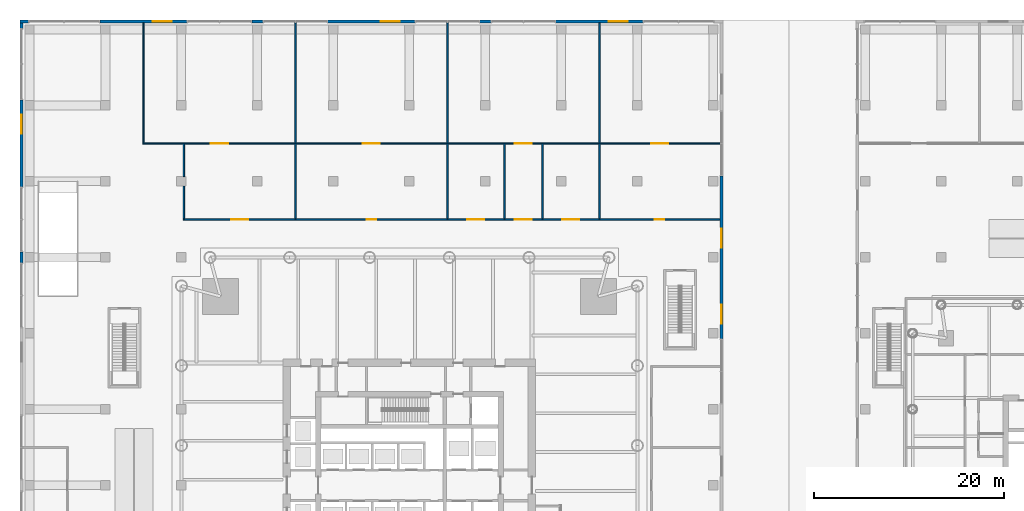
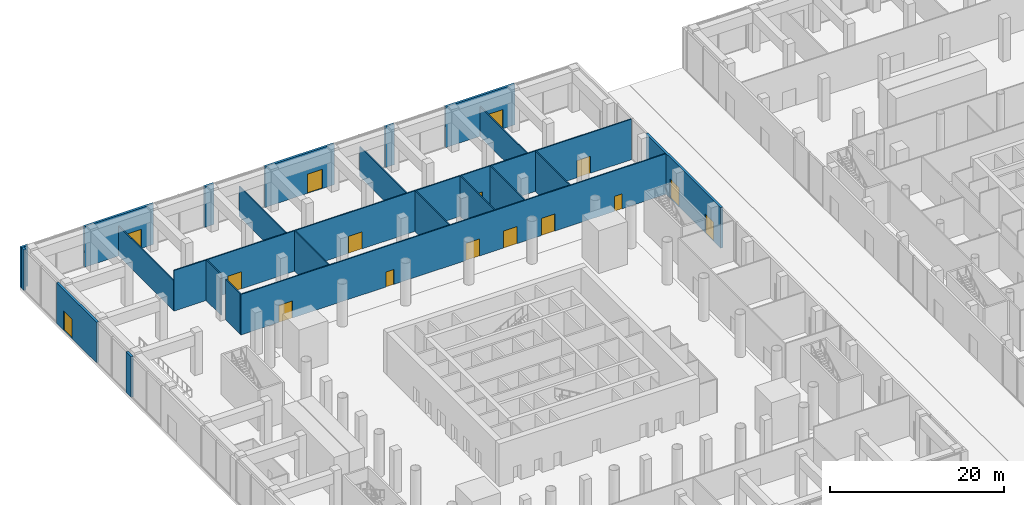
# One storey, part 32 of 39: 23 walls, 16 doors, 16 openings.
"""IFC4 building model written with IfcOpenShell, lengths in metres."""

from ifc_helpers import new_model, si_unit, direction, frame, frame_2d, origin, place, context, subcontext, project, spatial, rectangle, extrude, material, layer, layer_set, type_object, element, fill, save


model = new_model("IFC4")

# Units and contexts
model_context = context("Model", 3, precision=1e-05, world=origin(), true_north=direction((0.0, 1.0)))
body_context = subcontext(model_context, "Body", "Model", "MODEL_VIEW")
ifc_project = project(units=[si_unit("LENGTHUNIT", "METRE"), si_unit("AREAUNIT", "SQUARE_METRE"), si_unit("VOLUMEUNIT", "CUBIC_METRE"), si_unit("PLANEANGLEUNIT", "RADIAN"), si_unit("MASSUNIT", "GRAM", prefix="KILO")], contexts=[model_context])

# Site, building, storey
site_placement = place(None, origin())
site = spatial("IfcSite", under=ifc_project, at=site_placement, CompositionType="ELEMENT")
building_placement = place(site_placement, origin())
building = spatial("IfcBuilding", under=site, at=building_placement, Name="Ostroluk Exchange", CompositionType="ELEMENT")
storey_placement = place(building_placement, origin())
storey = spatial("IfcBuildingStorey", under=building, at=storey_placement, Name="L00", CompositionType="ELEMENT", Elevation=0.0)

# Wall, openings, doors
ifc_material_1 = material(Name="Limestone", Category="masonry")
ifc_layer_1 = layer(ifc_material_1, 0.300048828125)
ifc_layer_set_1 = layer_set([ifc_layer_1], Name="Limestone facade wall 300")
wall_type_1 = type_object("IfcWallType", Name="Limestone facade wall 300", PredefinedType="SOLIDWALL", material=ifc_layer_set_1)
wall_1_placement = place(storey_placement, frame((77.85009765625, 61.39990234375, 0.0), z_axis=(0.0, 0.0, 1.0), x_axis=(0.0, 1.0, 0.0)))
wall_1 = element("IfcWall", 1, at=wall_1_placement, inside=storey, type_object=wall_type_1, Name="Podium west E wall L00 4a", PredefinedType="SOLIDWALL", context=body_context, shape_type="SweptSolid", body=[
    extrude(rectangle(XDim=17.2001953125, YDim=0.300048828125, at=frame_2d((8.60009765625, 0.0))), origin(), (0.0, 0.0, 1.0), 5.699951171875),
])
opening_1_placement = place(wall_1_placement, frame((1.60009765625, 0.0, 0.0)))
opening_1 = element("IfcOpeningElement", 2, at=opening_1_placement, cuts=wall_1, Name="Opening D-E1", PredefinedType="OPENING", context=body_context, shape_type="SweptSolid", body=[
    extrude(rectangle(XDim=2.0, YDim=2.699951171875, at=frame_2d((1.0, 1.35009765625))), frame((0.0, 0.159912109375, 0.0), z_axis=(0.0, -1.0, 0.0), x_axis=(1.0, 0.0, 0.0)), (0.0, 0.0, 1.0), 0.320068359375),
])
opening_2_placement = place(wall_1_placement, frame((9.60009765625, 0.0, 0.0)))
opening_2 = element("IfcOpeningElement", 3, at=opening_2_placement, cuts=wall_1, Name="Opening D-E1", PredefinedType="OPENING", context=body_context, shape_type="SweptSolid", body=[
    extrude(rectangle(XDim=2.0, YDim=2.699951171875, at=frame_2d((1.0, 1.35009765625))), frame((0.0, 0.159912109375, 0.0), z_axis=(0.0, -1.0, 0.0), x_axis=(1.0, 0.0, 0.0)), (0.0, 0.0, 1.0), 0.320068359375),
])
ifc_material_2 = material(Name="Bronze framed glazed door", Category="aluminium")
door_type_1 = type_object("IfcDoorType", Name="Entrance double door 2000 x 2700", OperationType="DOUBLE_DOOR_SINGLE_SWING", PredefinedType="DOOR", material=ifc_material_2)
door_1_placement = place(opening_1_placement, origin())
door_1 = element("IfcDoor", 4, at=door_1_placement, inside=storey, type_object=door_type_1, Name="Podium west entrance E 8", OperationType="DOUBLE_DOOR_SINGLE_SWING", OverallHeight=2.699951171875, OverallWidth=2.0, PredefinedType="DOOR", context=body_context, shape_type="SweptSolid", body=[
    extrude(rectangle(XDim=2.0, YDim=2.699951171875, at=frame_2d((1.0, 1.35009765625))), frame((0.0, 0.02490234375, 0.0), z_axis=(0.0, -1.0, 0.0), x_axis=(1.0, 0.0, 0.0)), (0.0, 0.0, 1.0), 0.050048828125),
])
fill(opening_1, door_1)
door_2_placement = place(opening_2_placement, origin())
door_2 = element("IfcDoor", 5, at=door_2_placement, inside=storey, type_object=door_type_1, Name="Podium west entrance E 9", OperationType="DOUBLE_DOOR_SINGLE_SWING", OverallHeight=2.699951171875, OverallWidth=2.0, PredefinedType="DOOR", context=body_context, shape_type="SweptSolid", body=[
    extrude(rectangle(XDim=2.0, YDim=2.699951171875, at=frame_2d((1.0, 1.35009765625))), frame((0.0, 0.02490234375, 0.0), z_axis=(0.0, -1.0, 0.0), x_axis=(1.0, 0.0, 0.0)), (0.0, 0.0, 1.0), 0.050048828125),
])
fill(opening_2, door_2)

# Wall, opening, door
wall_2_placement = place(storey_placement, frame((69.60009765625, 94.85009765625, 0.0), z_axis=(0.0, 0.0, 1.0), x_axis=(-1.0, 0.0, 0.0)))
wall_2 = element("IfcWall", 6, at=wall_2_placement, inside=storey, type_object=wall_type_1, Name="Podium west N wall L00 2a", PredefinedType="SOLIDWALL", context=body_context, shape_type="SweptSolid", body=[
    extrude(rectangle(XDim=9.2001953125, YDim=0.300048828125, at=frame_2d((4.60009765625, 0.0))), origin(), (0.0, 0.0, 1.0), 5.699951171875),
])
opening_3_placement = place(wall_2_placement, frame((1.60009765625, 0.0, 0.0)))
opening_3 = element("IfcOpeningElement", 7, at=opening_3_placement, cuts=wall_2, Name="Opening D-E1", PredefinedType="OPENING", context=body_context, shape_type="SweptSolid", body=[
    extrude(rectangle(XDim=2.0, YDim=2.699951171875, at=frame_2d((1.0, 1.35009765625))), frame((0.0, 0.159912109375, 0.0), z_axis=(0.0, -1.0, 0.0), x_axis=(1.0, 0.0, 0.0)), (0.0, 0.0, 1.0), 0.320068359375),
])
door_3_placement = place(opening_3_placement, origin())
door_3 = element("IfcDoor", 8, at=door_3_placement, inside=storey, type_object=door_type_1, Name="Podium west entrance N 2", OperationType="DOUBLE_DOOR_SINGLE_SWING", OverallHeight=2.699951171875, OverallWidth=2.0, PredefinedType="DOOR", context=body_context, shape_type="SweptSolid", body=[
    extrude(rectangle(XDim=2.0, YDim=2.699951171875, at=frame_2d((1.0, 1.35009765625))), frame((0.0, 0.02490234375, 0.0), z_axis=(0.0, -1.0, 0.0), x_axis=(1.0, 0.0, 0.0)), (0.0, 0.0, 1.0), 0.050048828125),
])
fill(opening_3, door_3)

# Wall
wall_3_placement = place(storey_placement, frame((53.60009765625, 94.85009765625, 0.0), z_axis=(0.0, 0.0, 1.0), x_axis=(-1.0, 0.0, 0.0)))
element("IfcWall", 9, at=wall_3_placement, inside=storey, type_object=wall_type_1, Name="Podium west N wall L00 3a", PredefinedType="SOLIDWALL", context=body_context, shape_type="SweptSolid", body=[
    extrude(rectangle(XDim=1.2001953125, YDim=0.300048828125, at=frame_2d((0.60009765625, 0.0))), origin(), (0.0, 0.0, 1.0), 5.699951171875),
])

# Wall, opening, door
wall_4_placement = place(storey_placement, frame((45.60009765625, 94.85009765625, 0.0), z_axis=(0.0, 0.0, 1.0), x_axis=(-1.0, 0.0, 0.0)))
wall_4 = element("IfcWall", 10, at=wall_4_placement, inside=storey, type_object=wall_type_1, Name="Podium west N wall L00 4a", PredefinedType="SOLIDWALL", context=body_context, shape_type="SweptSolid", body=[
    extrude(rectangle(XDim=9.2001953125, YDim=0.300048828125, at=frame_2d((4.60009765625, 0.0))), origin(), (0.0, 0.0, 1.0), 5.699951171875),
])
opening_4_placement = place(wall_4_placement, frame((1.60009765625, 0.0, 0.0)))
opening_4 = element("IfcOpeningElement", 11, at=opening_4_placement, cuts=wall_4, Name="Opening D-E1", PredefinedType="OPENING", context=body_context, shape_type="SweptSolid", body=[
    extrude(rectangle(XDim=2.0, YDim=2.699951171875, at=frame_2d((1.0, 1.35009765625))), frame((0.0, 0.159912109375, 0.0), z_axis=(0.0, -1.0, 0.0), x_axis=(1.0, 0.0, 0.0)), (0.0, 0.0, 1.0), 0.320068359375),
])
door_4_placement = place(opening_4_placement, origin())
door_4 = element("IfcDoor", 12, at=door_4_placement, inside=storey, type_object=door_type_1, Name="Podium west entrance N 5", OperationType="DOUBLE_DOOR_SINGLE_SWING", OverallHeight=2.699951171875, OverallWidth=2.0, PredefinedType="DOOR", context=body_context, shape_type="SweptSolid", body=[
    extrude(rectangle(XDim=2.0, YDim=2.699951171875, at=frame_2d((1.0, 1.35009765625))), frame((0.0, 0.02490234375, 0.0), z_axis=(0.0, -1.0, 0.0), x_axis=(1.0, 0.0, 0.0)), (0.0, 0.0, 1.0), 0.050048828125),
])
fill(opening_4, door_4)

# Wall
wall_5_placement = place(storey_placement, frame((29.60009765625, 94.85009765625, 0.0), z_axis=(0.0, 0.0, 1.0), x_axis=(-1.0, 0.0, 0.0)))
element("IfcWall", 13, at=wall_5_placement, inside=storey, type_object=wall_type_1, Name="Podium west N wall L00 5a", PredefinedType="SOLIDWALL", context=body_context, shape_type="SweptSolid", body=[
    extrude(rectangle(XDim=1.2001953125, YDim=0.300048828125, at=frame_2d((0.60009765625, 0.0))), origin(), (0.0, 0.0, 1.0), 5.699951171875),
])

# Wall, opening, door
wall_6_placement = place(storey_placement, frame((21.60009765625, 94.85009765625, 0.0), z_axis=(0.0, 0.0, 1.0), x_axis=(-1.0, 0.0, 0.0)))
wall_6 = element("IfcWall", 14, at=wall_6_placement, inside=storey, type_object=wall_type_1, Name="Podium west N wall L00 6a", PredefinedType="SOLIDWALL", context=body_context, shape_type="SweptSolid", body=[
    extrude(rectangle(XDim=9.2001953125, YDim=0.300048828125, at=frame_2d((4.60009765625, 0.0))), origin(), (0.0, 0.0, 1.0), 5.699951171875),
])
opening_5_placement = place(wall_6_placement, frame((1.60009765625, 0.0, 0.0)))
opening_5 = element("IfcOpeningElement", 15, at=opening_5_placement, cuts=wall_6, Name="Opening D-E1", PredefinedType="OPENING", context=body_context, shape_type="SweptSolid", body=[
    extrude(rectangle(XDim=2.0, YDim=2.699951171875, at=frame_2d((1.0, 1.35009765625))), frame((0.0, 0.159912109375, 0.0), z_axis=(0.0, -1.0, 0.0), x_axis=(1.0, 0.0, 0.0)), (0.0, 0.0, 1.0), 0.320068359375),
])
door_5_placement = place(opening_5_placement, origin())
door_5 = element("IfcDoor", 16, at=door_5_placement, inside=storey, type_object=door_type_1, Name="Podium west entrance N 8", OperationType="DOUBLE_DOOR_SINGLE_SWING", OverallHeight=2.699951171875, OverallWidth=2.0, PredefinedType="DOOR", context=body_context, shape_type="SweptSolid", body=[
    extrude(rectangle(XDim=2.0, YDim=2.699951171875, at=frame_2d((1.0, 1.35009765625))), frame((0.0, 0.02490234375, 0.0), z_axis=(0.0, -1.0, 0.0), x_axis=(1.0, 0.0, 0.0)), (0.0, 0.0, 1.0), 0.050048828125),
])
fill(opening_5, door_5)

# Walls
wall_7_placement = place(storey_placement, frame((4.89990234375, 94.85009765625, 0.0), z_axis=(0.0, 0.0, 1.0), x_axis=(-1.0, 0.0, 0.0)))
element("IfcWall", 17, at=wall_7_placement, inside=storey, type_object=wall_type_1, Name="Podium west N wall L00 7a", PredefinedType="SOLIDWALL", context=body_context, shape_type="SweptSolid", body=[
    extrude(rectangle(XDim=0.89990234375, YDim=0.300048828125, at=frame_2d((0.449951171875, 0.0))), origin(), (0.0, 0.0, 1.0), 5.699951171875),
])
wall_8_placement = place(storey_placement, frame((4.14990234375, 94.699951171875, 0.0), z_axis=(0.0, 0.0, 1.0), x_axis=(0.0, -1.0, 0.0)))
element("IfcWall", 18, at=wall_8_placement, inside=storey, type_object=wall_type_1, Name="Podium west W wall L00 1a", PredefinedType="SOLIDWALL", context=body_context, shape_type="SweptSolid", body=[
    extrude(rectangle(XDim=0.599853515625, YDim=0.300048828125, at=frame_2d((0.2998046875, 0.0))), origin(), (0.0, 0.0, 1.0), 5.699951171875),
])

# Wall, opening, door
wall_9_placement = place(storey_placement, frame((4.14990234375, 86.60009765625, 0.0), z_axis=(0.0, 0.0, 1.0), x_axis=(0.0, -1.0, 0.0)))
wall_9 = element("IfcWall", 19, at=wall_9_placement, inside=storey, type_object=wall_type_1, Name="Podium west W wall L00 2a", PredefinedType="SOLIDWALL", context=body_context, shape_type="SweptSolid", body=[
    extrude(rectangle(XDim=9.2001953125, YDim=0.300048828125, at=frame_2d((4.60009765625, 0.0))), origin(), (0.0, 0.0, 1.0), 5.699951171875),
])
opening_6_placement = place(wall_9_placement, frame((1.60009765625, 0.0, 0.0)))
opening_6 = element("IfcOpeningElement", 20, at=opening_6_placement, cuts=wall_9, Name="Opening D-E1", PredefinedType="OPENING", context=body_context, shape_type="SweptSolid", body=[
    extrude(rectangle(XDim=2.0, YDim=2.699951171875, at=frame_2d((1.0, 1.35009765625))), frame((0.0, 0.159912109375, 0.0), z_axis=(0.0, -1.0, 0.0), x_axis=(1.0, 0.0, 0.0)), (0.0, 0.0, 1.0), 0.320068359375),
])
door_6_placement = place(opening_6_placement, origin())
door_6 = element("IfcDoor", 21, at=door_6_placement, inside=storey, type_object=door_type_1, Name="Podium west entrance W 2", OperationType="DOUBLE_DOOR_SINGLE_SWING", OverallHeight=2.699951171875, OverallWidth=2.0, PredefinedType="DOOR", context=body_context, shape_type="SweptSolid", body=[
    extrude(rectangle(XDim=2.0, YDim=2.699951171875, at=frame_2d((1.0, 1.35009765625))), frame((0.0, 0.02490234375, 0.0), z_axis=(0.0, -1.0, 0.0), x_axis=(1.0, 0.0, 0.0)), (0.0, 0.0, 1.0), 0.050048828125),
])
fill(opening_6, door_6)

# Wall
wall_10_placement = place(storey_placement, frame((4.14990234375, 70.60009765625, 0.0), z_axis=(0.0, 0.0, 1.0), x_axis=(0.0, -1.0, 0.0)))
element("IfcWall", 22, at=wall_10_placement, inside=storey, type_object=wall_type_1, Name="Podium west W wall L00 3a", PredefinedType="SOLIDWALL", context=body_context, shape_type="SweptSolid", body=[
    extrude(rectangle(XDim=1.2001953125, YDim=0.300048828125, at=frame_2d((0.60009765625, 0.0))), origin(), (0.0, 0.0, 1.0), 5.699951171875),
])

# Wall, openings, doors
ifc_material_3 = material(Name="Gypsum plasterboard partition", Category="gypsum")
ifc_layer_2 = layer(ifc_material_3, 0.14990234375)
ifc_layer_set_2 = layer_set([ifc_layer_2], Name="Plasterboard partition 150")
wall_type_2 = type_object("IfcWallType", Name="Plasterboard partition 150", PredefinedType="PARTITIONING", material=ifc_layer_set_2)
wall_11_placement = place(storey_placement, frame((16.925048828125, 82.0, 0.0), z_axis=(0.0, 0.0, 1.0), x_axis=(1.0, 0.0, 0.0)))
wall_11 = element("IfcWall", 23, at=wall_11_placement, inside=storey, type_object=wall_type_2, Name="Partition", PredefinedType="PARTITIONING", context=body_context, shape_type="SweptSolid", body=[
    extrude(rectangle(XDim=60.77490234375, YDim=0.14990234375, at=frame_2d((30.387451171875, 0.0))), origin(), (0.0, 0.0, 1.0), 5.699951171875),
])
opening_7_placement = place(wall_11_placement, frame((7.175048828125, 0.0, 0.0)))
opening_7 = element("IfcOpeningElement", 24, at=opening_7_placement, cuts=wall_11, Name="Opening D-04", PredefinedType="OPENING", context=body_context, shape_type="SweptSolid", body=[
    extrude(rectangle(XDim=1.800048828125, YDim=2.39990234375, at=frame_2d((0.89990234375, 1.199951171875))), frame((0.0, 0.0849609375, 0.0), z_axis=(0.0, -1.0, 0.0), x_axis=(1.0, 0.0, 0.0)), (0.0, 0.0, 1.0), 0.169921875),
])
opening_8_placement = place(wall_11_placement, frame((23.175048828125, 0.0, 0.0)))
opening_8 = element("IfcOpeningElement", 25, at=opening_8_placement, cuts=wall_11, Name="Opening D-04", PredefinedType="OPENING", context=body_context, shape_type="SweptSolid", body=[
    extrude(rectangle(XDim=1.800048828125, YDim=2.39990234375, at=frame_2d((0.89990234375, 1.199951171875))), frame((0.0, 0.0849609375, 0.0), z_axis=(0.0, -1.0, 0.0), x_axis=(1.0, 0.0, 0.0)), (0.0, 0.0, 1.0), 0.169921875),
])
opening_9_placement = place(wall_11_placement, frame((39.175048828125, 0.0, 0.0)))
opening_9 = element("IfcOpeningElement", 26, at=opening_9_placement, cuts=wall_11, Name="Opening D-04", PredefinedType="OPENING", context=body_context, shape_type="SweptSolid", body=[
    extrude(rectangle(XDim=1.800048828125, YDim=2.39990234375, at=frame_2d((0.89990234375, 1.199951171875))), frame((0.0, 0.0849609375, 0.0), z_axis=(0.0, -1.0, 0.0), x_axis=(1.0, 0.0, 0.0)), (0.0, 0.0, 1.0), 0.169921875),
])
opening_10_placement = place(wall_11_placement, frame((53.52490234375, 0.0, 0.0)))
opening_10 = element("IfcOpeningElement", 27, at=opening_10_placement, cuts=wall_11, Name="Opening D-04", PredefinedType="OPENING", context=body_context, shape_type="SweptSolid", body=[
    extrude(rectangle(XDim=1.800048828125, YDim=2.39990234375, at=frame_2d((0.89990234375, 1.199951171875))), frame((0.0, 0.0849609375, 0.0), z_axis=(0.0, -1.0, 0.0), x_axis=(1.0, 0.0, 0.0)), (0.0, 0.0, 1.0), 0.169921875),
])
ifc_material_4 = material(Name="Timber", Category="wood")
door_type_2 = type_object("IfcDoorType", Name="Double door 1800 x 2400", OperationType="DOUBLE_DOOR_SINGLE_SWING", PredefinedType="DOOR", material=ifc_material_4)
door_7_placement = place(opening_7_placement, origin())
door_7 = element("IfcDoor", 28, at=door_7_placement, inside=storey, type_object=door_type_2, Name="Retail unit door", OperationType="DOUBLE_DOOR_SINGLE_SWING", OverallHeight=2.39990234375, OverallWidth=1.800048828125, PredefinedType="DOOR", context=body_context, shape_type="SweptSolid", body=[
    extrude(rectangle(XDim=1.800048828125, YDim=2.39990234375, at=frame_2d((0.89990234375, 1.199951171875))), frame((0.0, 0.02490234375, 0.0), z_axis=(0.0, -1.0, 0.0), x_axis=(1.0, 0.0, 0.0)), (0.0, 0.0, 1.0), 0.050048828125),
])
fill(opening_7, door_7)
door_8_placement = place(opening_8_placement, origin())
door_8 = element("IfcDoor", 29, at=door_8_placement, inside=storey, type_object=door_type_2, Name="Retail unit door", OperationType="DOUBLE_DOOR_SINGLE_SWING", OverallHeight=2.39990234375, OverallWidth=1.800048828125, PredefinedType="DOOR", context=body_context, shape_type="SweptSolid", body=[
    extrude(rectangle(XDim=1.800048828125, YDim=2.39990234375, at=frame_2d((0.89990234375, 1.199951171875))), frame((0.0, 0.02490234375, 0.0), z_axis=(0.0, -1.0, 0.0), x_axis=(1.0, 0.0, 0.0)), (0.0, 0.0, 1.0), 0.050048828125),
])
fill(opening_8, door_8)
door_9_placement = place(opening_9_placement, origin())
door_9 = element("IfcDoor", 30, at=door_9_placement, inside=storey, type_object=door_type_2, Name="Retail unit door", OperationType="DOUBLE_DOOR_SINGLE_SWING", OverallHeight=2.39990234375, OverallWidth=1.800048828125, PredefinedType="DOOR", context=body_context, shape_type="SweptSolid", body=[
    extrude(rectangle(XDim=1.800048828125, YDim=2.39990234375, at=frame_2d((0.89990234375, 1.199951171875))), frame((0.0, 0.02490234375, 0.0), z_axis=(0.0, -1.0, 0.0), x_axis=(1.0, 0.0, 0.0)), (0.0, 0.0, 1.0), 0.050048828125),
])
fill(opening_9, door_9)
door_10_placement = place(opening_10_placement, origin())
door_10 = element("IfcDoor", 31, at=door_10_placement, inside=storey, type_object=door_type_2, Name="Retail unit door", OperationType="DOUBLE_DOOR_SINGLE_SWING", OverallHeight=2.39990234375, OverallWidth=1.800048828125, PredefinedType="DOOR", context=body_context, shape_type="SweptSolid", body=[
    extrude(rectangle(XDim=1.800048828125, YDim=2.39990234375, at=frame_2d((0.89990234375, 1.199951171875))), frame((0.0, 0.02490234375, 0.0), z_axis=(0.0, -1.0, 0.0), x_axis=(1.0, 0.0, 0.0)), (0.0, 0.0, 1.0), 0.050048828125),
])
fill(opening_10, door_10)

# Walls
for number, where, z_axis, x_axis, name in (
    (32, (17.0, 82.074951171875, 0.0), (0.0, 0.0, 1.0), (0.0, 1.0, 0.0), "Partition"),
    (33, (33.0, 82.074951171875, 0.0), (0.0, 0.0, 1.0), (0.0, 1.0, 0.0), "Partition"),
    (34, (49.0, 82.074951171875, 0.0), (0.0, 0.0, 1.0), (0.0, 1.0, 0.0), "Partition"),
    (35, (65.0, 82.074951171875, 0.0), (0.0, 0.0, 1.0), (0.0, 1.0, 0.0), "Partition"),
):
    element("IfcWall", number, at=place(storey_placement, frame(where, z_axis=z_axis, x_axis=x_axis)), inside=storey, type_object=wall_type_2, Name=name, PredefinedType="PARTITIONING", context=body_context, shape_type="SweptSolid", body=[
        extrude(rectangle(XDim=12.625, YDim=0.14990234375, at=frame_2d((6.3125, 0.0))), origin(), (0.0, 0.0, 1.0), 4.199951171875),
    ])

# Wall, openings, doors
wall_12_placement = place(storey_placement, frame((21.175048828125, 74.0, 0.0), z_axis=(0.0, 0.0, 1.0), x_axis=(1.0, 0.0, 0.0)))
wall_12 = element("IfcWall", 36, at=wall_12_placement, inside=storey, type_object=wall_type_2, Name="Partition", PredefinedType="PARTITIONING", context=body_context, shape_type="SweptSolid", body=[
    extrude(rectangle(XDim=56.52490234375, YDim=0.14990234375, at=frame_2d((28.262451171875, 0.0))), origin(), (0.0, 0.0, 1.0), 5.699951171875),
])
opening_11_placement = place(wall_12_placement, frame((5.050048828125, 0.0, 0.0)))
opening_11 = element("IfcOpeningElement", 37, at=opening_11_placement, cuts=wall_12, Name="Opening D-04", PredefinedType="OPENING", context=body_context, shape_type="SweptSolid", body=[
    extrude(rectangle(XDim=1.800048828125, YDim=2.39990234375, at=frame_2d((0.89990234375, 1.199951171875))), frame((0.0, 0.0849609375, 0.0), z_axis=(0.0, -1.0, 0.0), x_axis=(1.0, 0.0, 0.0)), (0.0, 0.0, 1.0), 0.169921875),
])
opening_12_placement = place(wall_12_placement, frame((19.324951171875, 0.0, 0.0)))
opening_12 = element("IfcOpeningElement", 38, at=opening_12_placement, cuts=wall_12, Name="Opening D-03", PredefinedType="OPENING", context=body_context, shape_type="SweptSolid", body=[
    extrude(rectangle(XDim=1.0, YDim=2.10009765625, at=frame_2d((0.5, 1.050048828125))), frame((0.0, 0.0849609375, 0.0), z_axis=(0.0, -1.0, 0.0), x_axis=(1.0, 0.0, 0.0)), (0.0, 0.0, 1.0), 0.169921875),
])
opening_13_placement = place(wall_12_placement, frame((29.925048828125, 0.0, 0.0)))
opening_13 = element("IfcOpeningElement", 39, at=opening_13_placement, cuts=wall_12, Name="Opening D-04", PredefinedType="OPENING", context=body_context, shape_type="SweptSolid", body=[
    extrude(rectangle(XDim=1.800048828125, YDim=2.39990234375, at=frame_2d((0.89990234375, 1.199951171875))), frame((0.0, 0.0849609375, 0.0), z_axis=(0.0, -1.0, 0.0), x_axis=(1.0, 0.0, 0.0)), (0.0, 0.0, 1.0), 0.169921875),
])
opening_14_placement = place(wall_12_placement, frame((34.925048828125, 0.0, 0.0)))
opening_14 = element("IfcOpeningElement", 40, at=opening_14_placement, cuts=wall_12, Name="Opening D-04", PredefinedType="OPENING", context=body_context, shape_type="SweptSolid", body=[
    extrude(rectangle(XDim=1.800048828125, YDim=2.39990234375, at=frame_2d((0.89990234375, 1.199951171875))), frame((0.0, 0.0849609375, 0.0), z_axis=(0.0, -1.0, 0.0), x_axis=(1.0, 0.0, 0.0)), (0.0, 0.0, 1.0), 0.169921875),
])
opening_15_placement = place(wall_12_placement, frame((39.925048828125, 0.0, 0.0)))
opening_15 = element("IfcOpeningElement", 41, at=opening_15_placement, cuts=wall_12, Name="Opening D-04", PredefinedType="OPENING", context=body_context, shape_type="SweptSolid", body=[
    extrude(rectangle(XDim=1.800048828125, YDim=2.39990234375, at=frame_2d((0.89990234375, 1.199951171875))), frame((0.0, 0.0849609375, 0.0), z_axis=(0.0, -1.0, 0.0), x_axis=(1.0, 0.0, 0.0)), (0.0, 0.0, 1.0), 0.169921875),
])
opening_16_placement = place(wall_12_placement, frame((49.675048828125, 0.0, 0.0)))
opening_16 = element("IfcOpeningElement", 42, at=opening_16_placement, cuts=wall_12, Name="Opening D-03", PredefinedType="OPENING", context=body_context, shape_type="SweptSolid", body=[
    extrude(rectangle(XDim=1.0, YDim=2.10009765625, at=frame_2d((0.5, 1.050048828125))), frame((0.0, 0.0849609375, 0.0), z_axis=(0.0, -1.0, 0.0), x_axis=(1.0, 0.0, 0.0)), (0.0, 0.0, 1.0), 0.169921875),
])
door_11_placement = place(opening_11_placement, origin())
door_11 = element("IfcDoor", 43, at=door_11_placement, inside=storey, type_object=door_type_2, Name="Retail unit door", OperationType="DOUBLE_DOOR_SINGLE_SWING", OverallHeight=2.39990234375, OverallWidth=1.800048828125, PredefinedType="DOOR", context=body_context, shape_type="SweptSolid", body=[
    extrude(rectangle(XDim=1.800048828125, YDim=2.39990234375, at=frame_2d((0.89990234375, 1.199951171875))), frame((0.0, 0.02490234375, 0.0), z_axis=(0.0, -1.0, 0.0), x_axis=(1.0, 0.0, 0.0)), (0.0, 0.0, 1.0), 0.050048828125),
])
fill(opening_11, door_11)
door_12_placement = place(opening_13_placement, origin())
door_12 = element("IfcDoor", 44, at=door_12_placement, inside=storey, type_object=door_type_2, Name="Retail unit door", OperationType="DOUBLE_DOOR_SINGLE_SWING", OverallHeight=2.39990234375, OverallWidth=1.800048828125, PredefinedType="DOOR", context=body_context, shape_type="SweptSolid", body=[
    extrude(rectangle(XDim=1.800048828125, YDim=2.39990234375, at=frame_2d((0.89990234375, 1.199951171875))), frame((0.0, 0.02490234375, 0.0), z_axis=(0.0, -1.0, 0.0), x_axis=(1.0, 0.0, 0.0)), (0.0, 0.0, 1.0), 0.050048828125),
])
fill(opening_13, door_12)
door_13_placement = place(opening_14_placement, origin())
door_13 = element("IfcDoor", 45, at=door_13_placement, inside=storey, type_object=door_type_2, Name="Arcade passage door", OperationType="DOUBLE_DOOR_SINGLE_SWING", OverallHeight=2.39990234375, OverallWidth=1.800048828125, PredefinedType="DOOR", context=body_context, shape_type="SweptSolid", body=[
    extrude(rectangle(XDim=1.800048828125, YDim=2.39990234375, at=frame_2d((0.89990234375, 1.199951171875))), frame((0.0, 0.02490234375, 0.0), z_axis=(0.0, -1.0, 0.0), x_axis=(1.0, 0.0, 0.0)), (0.0, 0.0, 1.0), 0.050048828125),
])
fill(opening_14, door_13)
door_14_placement = place(opening_15_placement, origin())
door_14 = element("IfcDoor", 46, at=door_14_placement, inside=storey, type_object=door_type_2, Name="Retail unit door", OperationType="DOUBLE_DOOR_SINGLE_SWING", OverallHeight=2.39990234375, OverallWidth=1.800048828125, PredefinedType="DOOR", context=body_context, shape_type="SweptSolid", body=[
    extrude(rectangle(XDim=1.800048828125, YDim=2.39990234375, at=frame_2d((0.89990234375, 1.199951171875))), frame((0.0, 0.02490234375, 0.0), z_axis=(0.0, -1.0, 0.0), x_axis=(1.0, 0.0, 0.0)), (0.0, 0.0, 1.0), 0.050048828125),
])
fill(opening_15, door_14)
ifc_material_5 = material(Name="Timber", Category="wood")
door_type_3 = type_object("IfcDoorType", Name="Internal door 1000 x 2100", OperationType="SINGLE_SWING_LEFT", PredefinedType="DOOR", material=ifc_material_5)
door_15_placement = place(opening_12_placement, origin())
door_15 = element("IfcDoor", 47, at=door_15_placement, inside=storey, type_object=door_type_3, Name="Store door", OperationType="SINGLE_SWING_LEFT", OverallHeight=2.10009765625, OverallWidth=1.0, PredefinedType="DOOR", context=body_context, shape_type="SweptSolid", body=[
    extrude(rectangle(XDim=1.0, YDim=2.10009765625, at=frame_2d((0.5, 1.050048828125))), frame((0.0, 0.02490234375, 0.0), z_axis=(0.0, -1.0, 0.0), x_axis=(1.0, 0.0, 0.0)), (0.0, 0.0, 1.0), 0.050048828125),
])
fill(opening_12, door_15)
door_16_placement = place(opening_16_placement, origin())
door_16 = element("IfcDoor", 48, at=door_16_placement, inside=storey, type_object=door_type_3, Name="Store door", OperationType="SINGLE_SWING_RIGHT", OverallHeight=2.10009765625, OverallWidth=1.0, PredefinedType="DOOR", context=body_context, shape_type="SweptSolid", body=[
    extrude(rectangle(XDim=1.0, YDim=2.10009765625, at=frame_2d((0.5, 1.050048828125))), frame((0.0, 0.02490234375, 0.0), z_axis=(0.0, -1.0, 0.0), x_axis=(1.0, 0.0, 0.0)), (0.0, 0.0, 1.0), 0.050048828125),
])
fill(opening_16, door_16)

# Walls
wall_13_placement = place(storey_placement, frame((21.25, 74.074951171875, 0.0), z_axis=(0.0, 0.0, 1.0), x_axis=(0.0, 1.0, 0.0)))
element("IfcWall", 49, at=wall_13_placement, inside=storey, type_object=wall_type_2, Name="Partition", PredefinedType="PARTITIONING", context=body_context, shape_type="SweptSolid", body=[
    extrude(rectangle(XDim=3.425048828125, YDim=0.14990234375, at=frame_2d((1.71240234375, 0.0))), origin(), (0.0, 0.0, 1.0), 5.699951171875),
])
wall_14_placement = place(storey_placement, frame((21.25, 78.5, 0.0), z_axis=(0.0, 0.0, 1.0), x_axis=(0.0, 1.0, 0.0)))
element("IfcWall", 50, at=wall_14_placement, inside=storey, type_object=wall_type_2, Name="Partition", PredefinedType="PARTITIONING", context=body_context, shape_type="SweptSolid", body=[
    extrude(rectangle(XDim=3.5, YDim=0.14990234375, at=frame_2d((1.75, 0.0))), origin(), (0.0, 0.0, 1.0), 5.699951171875),
])
for number, where, z_axis, x_axis, name in (
    (51, (33.0, 74.074951171875, 0.0), (0.0, 0.0, 1.0), (0.0, 1.0, 0.0), "Partition"),
    (52, (49.0, 74.074951171875, 0.0), (0.0, 0.0, 1.0), (0.0, 1.0, 0.0), "Partition"),
    (53, (55.0, 74.074951171875, 0.0), (0.0, 0.0, 1.0), (0.0, 1.0, 0.0), "Partition"),
    (54, (59.0, 74.074951171875, 0.0), (0.0, 0.0, 1.0), (0.0, 1.0, 0.0), "Partition"),
    (55, (65.0, 74.074951171875, 0.0), (0.0, 0.0, 1.0), (0.0, 1.0, 0.0), "Partition"),
):
    element("IfcWall", number, at=place(storey_placement, frame(where, z_axis=z_axis, x_axis=x_axis)), inside=storey, type_object=wall_type_2, Name=name, PredefinedType="PARTITIONING", context=body_context, shape_type="SweptSolid", body=[
        extrude(rectangle(XDim=7.925048828125, YDim=0.14990234375, at=frame_2d((3.96240234375, 0.0))), origin(), (0.0, 0.0, 1.0), 5.699951171875),
    ])

save(model, "model.ifc")
